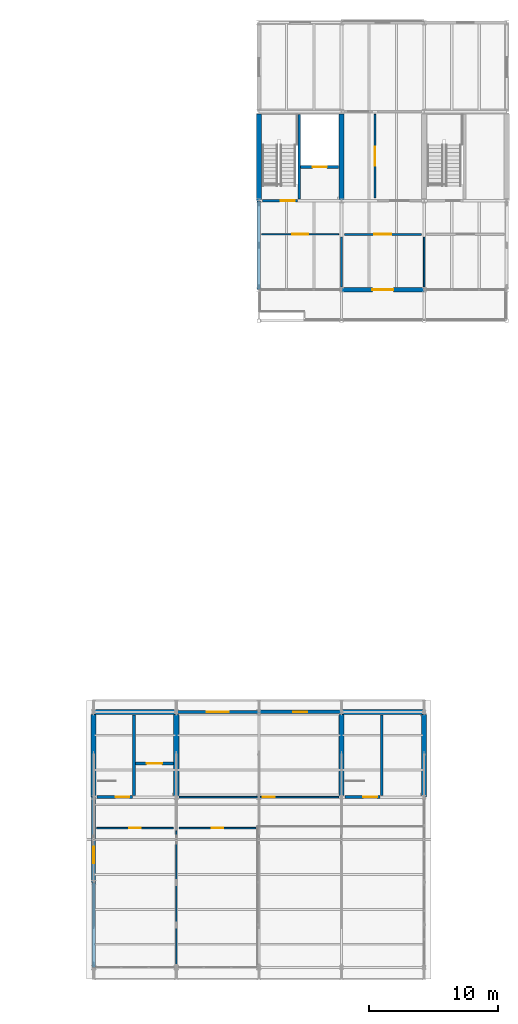
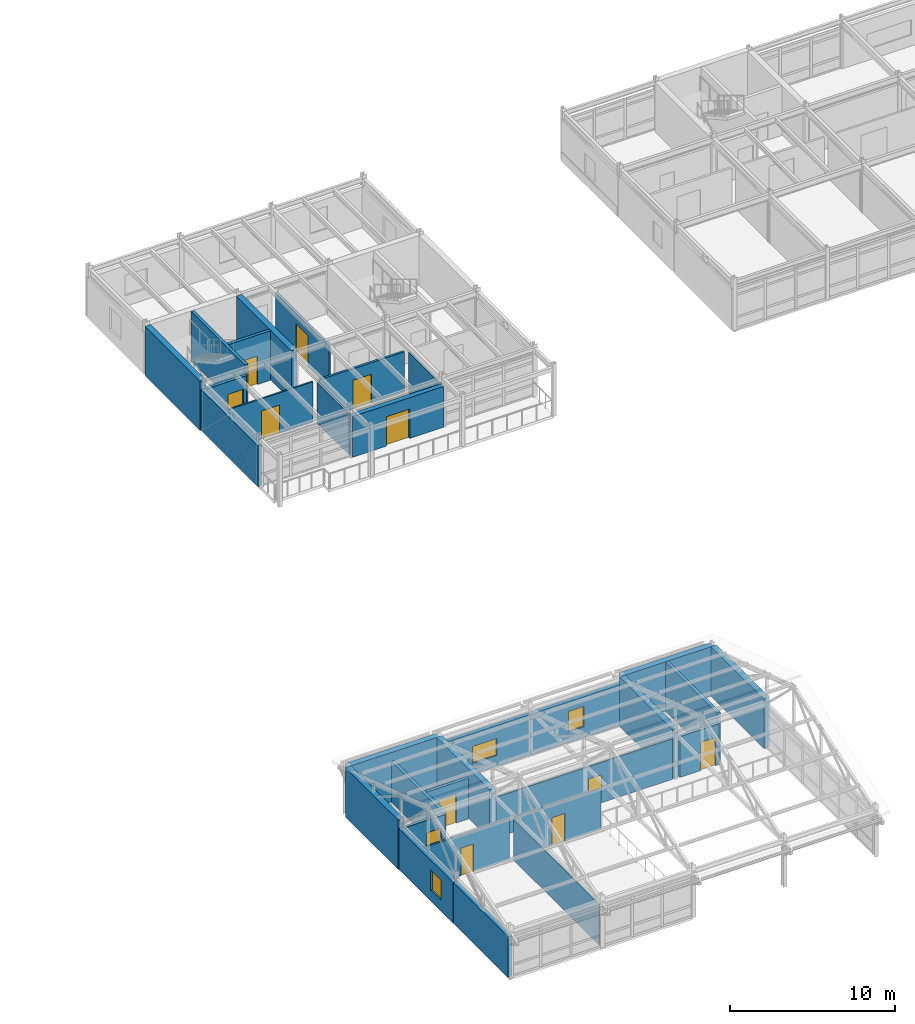
# One storey, part 46 of 57: 31 walls, 12 doors, 3 windows, 15 openings.
"""IFC4 building model written with IfcOpenShell, lengths in metres."""

from ifc_helpers import new_model, si_unit, direction, frame, frame_2d, origin, place, context, subcontext, project, spatial, rectangle, extrude, material, layer, layer_set, type_object, element, fill, save


model = new_model("IFC4")

# Units and contexts
model_context = context("Model", 3, precision=1e-05, world=origin(), true_north=direction((0.0, 1.0)))
body_context = subcontext(model_context, "Body", "Model", "MODEL_VIEW")
ifc_project = project(units=[si_unit("LENGTHUNIT", "METRE"), si_unit("AREAUNIT", "SQUARE_METRE"), si_unit("VOLUMEUNIT", "CUBIC_METRE"), si_unit("PLANEANGLEUNIT", "RADIAN"), si_unit("MASSUNIT", "GRAM", prefix="KILO")], contexts=[model_context])

# Site, building, storey
site_placement = place(None, origin())
site = spatial("IfcSite", under=ifc_project, at=site_placement, CompositionType="ELEMENT")
building_placement = place(site_placement, origin())
building = spatial("IfcBuilding", under=site, at=building_placement, Name="Trelmorton Wharf Fire Station", CompositionType="ELEMENT")
storey_placement = place(building_placement, frame((0.0, 0.0, 13.5)))
storey = spatial("IfcBuildingStorey", under=building, at=storey_placement, Name="L03", CompositionType="ELEMENT", Elevation=13.5)

# Wall, opening, window
ifc_material_1 = material(Name="Precast concrete 45 MPa", Category="concrete")
ifc_layer_1 = layer(ifc_material_1, 0.25)
ifc_layer_set_1 = layer_set([ifc_layer_1], Name="Precast concrete 45 MPa")
wall_type_1 = type_object("IfcWallType", Name="EW_PREC_250", PredefinedType="SOLIDWALL", material=ifc_layer_set_1)
wall_1_placement = place(storey_placement, frame((64.405029296875, 27.60009765625, 0.0), z_axis=(0.0, 0.0, 1.0), x_axis=(1.0, 0.0, 0.0)))
wall_1 = element("IfcWall", 1, at=wall_1_placement, inside=storey, type_object=wall_type_1, Name="EW-V3-L03-0061", PredefinedType="SOLIDWALL", context=body_context, shape_type="SweptSolid", body=[
    extrude(rectangle(XDim=6.389892578125, YDim=0.25, at=frame_2d((3.19482421875, 0.0))), origin(), (0.0, 0.0, 1.0), 3.02001953125),
])
opening_1_placement = place(wall_1_placement, frame((2.344970703125, 0.0, 0.800048828125)))
opening_1 = element("IfcOpeningElement", 2, at=opening_1_placement, cuts=wall_1, Name="Opening W32", PredefinedType="OPENING", context=body_context, shape_type="SweptSolid", body=[
    extrude(rectangle(XDim=1.699951171875, YDim=1.25, at=frame_2d((0.85009765625, 0.625))), frame((0.0, 0.135009765625, 0.0), z_axis=(0.0, -1.0, 0.0), x_axis=(1.0, 0.0, 0.0)), (0.0, 0.0, 1.0), 0.27001953125),
])
ifc_material_2 = material(Name="Tempered low-E double glazing", Category="glass")
window_type_1 = type_object("IfcWindowType", Name="WIN_W32", PartitioningType="DOUBLE_PANEL_VERTICAL", PredefinedType="WINDOW", material=ifc_material_2)
window_1_placement = place(opening_1_placement, origin())
window_1 = element("IfcWindow", 3, at=window_1_placement, inside=storey, type_object=window_type_1, Name="WN-V3-L03-0021", OverallHeight=1.25, OverallWidth=1.699951171875, PartitioningType="DOUBLE_PANEL_VERTICAL", PredefinedType="WINDOW", context=body_context, shape_type="SweptSolid", body=[
    extrude(rectangle(XDim=1.699951171875, YDim=1.25, at=frame_2d((0.85009765625, 0.625))), frame((0.0, 0.030029296875, 0.0), z_axis=(0.0, -1.0, 0.0), x_axis=(1.0, 0.0, 0.0)), (0.0, 0.0, 1.0), 0.06005859375),
])
fill(opening_1, window_1)

ifc_layer_2 = layer(ifc_material_1, 0.27001953125)
ifc_layer_set_2 = layer_set([ifc_layer_2], Name="Precast concrete 45 MPa")
wall_type_2 = type_object("IfcWallType", Name="EW_PREC_270", PredefinedType="SOLIDWALL", material=ifc_layer_set_2)
wall_2_placement = place(storey_placement, frame((70.804931640625, 27.60009765625, 0.0), z_axis=(0.0, 0.0, 1.0), x_axis=(1.0, 0.0, 0.0)))
wall_2 = element("IfcWall", 4, at=wall_2_placement, inside=storey, type_object=wall_type_2, Name="EW-V3-L03-0062", PredefinedType="SOLIDWALL", context=body_context, shape_type="SweptSolid", body=[
    extrude(rectangle(XDim=6.39013671875, YDim=0.27001953125, at=frame_2d((3.195068359375, 0.0))), origin(), (0.0, 0.0, 1.0), 3.02001953125),
])
opening_2_placement = place(wall_2_placement, frame((2.64501953125, 0.0, 0.800048828125)))
opening_2 = element("IfcOpeningElement", 5, at=opening_2_placement, cuts=wall_2, Name="Opening W33", PredefinedType="OPENING", context=body_context, shape_type="SweptSolid", body=[
    extrude(rectangle(XDim=1.10009765625, YDim=1.5, at=frame_2d((0.550048828125, 0.75))), frame((0.0, 0.14501953125, 0.0), z_axis=(0.0, -1.0, 0.0), x_axis=(1.0, 0.0, 0.0)), (0.0, 0.0, 1.0), 0.2900390625),
])
window_type_2 = type_object("IfcWindowType", Name="WIN_W33", PartitioningType="SINGLE_PANEL", PredefinedType="WINDOW", material=ifc_material_2)
window_2_placement = place(opening_2_placement, origin())
window_2 = element("IfcWindow", 6, at=window_2_placement, inside=storey, type_object=window_type_2, Name="WN-V3-L03-0022", OverallHeight=1.5, OverallWidth=1.10009765625, PartitioningType="SINGLE_PANEL", PredefinedType="WINDOW", context=body_context, shape_type="SweptSolid", body=[
    extrude(rectangle(XDim=1.10009765625, YDim=1.5, at=frame_2d((0.550048828125, 0.75))), frame((0.0, 0.030029296875, 0.0), z_axis=(0.0, -1.0, 0.0), x_axis=(1.0, 0.0, 0.0)), (0.0, 0.0, 1.0), 0.06005859375),
])
fill(opening_2, window_2)

# Walls
wall_3_placement = place(storey_placement, frame((70.800048828125, 60.304931640625, 0.0), z_axis=(0.0, 0.0, 1.0), x_axis=(0.0, 1.0, 0.0)))
element("IfcWall", 7, at=wall_3_placement, inside=storey, type_object=wall_type_2, Name="EW-V2-L03-0182", PredefinedType="SOLIDWALL", context=body_context, shape_type="SweptSolid", body=[
    extrude(rectangle(XDim=6.89013671875, YDim=0.27001953125, at=frame_2d((3.445068359375, 0.0))), origin(), (0.0, 0.0, 1.0), 3.02001953125),
])
ifc_layer_3 = layer(ifc_material_1, 0.2900390625)
ifc_layer_set_3 = layer_set([ifc_layer_3], Name="Precast concrete 45 MPa")
wall_type_3 = type_object("IfcWallType", Name="EW_TERR_290", PredefinedType="SOLIDWALL", material=ifc_layer_set_3)
wall_4_placement = place(storey_placement, frame((58.0, 7.804931640625, 0.0), z_axis=(0.0, 0.0, 1.0), x_axis=(0.0, 1.0, 0.0)))
element("IfcWall", 8, at=wall_4_placement, inside=storey, type_object=wall_type_3, Name="EW-V3-L03-0063", PredefinedType="SOLIDWALL", context=body_context, shape_type="SweptSolid", body=[
    extrude(rectangle(XDim=6.590087890625, YDim=0.2900390625, at=frame_2d((3.294921875, 0.0))), origin(), (0.0, 0.0, 1.0), 3.02001953125),
])

# Wall, opening, window
ifc_layer_4 = layer(ifc_material_1, 0.31005859375)
ifc_layer_set_4 = layer_set([ifc_layer_4], Name="Precast concrete 45 MPa")
wall_type_4 = type_object("IfcWallType", Name="EW_TERR_310", PredefinedType="SOLIDWALL", material=ifc_layer_set_4)
wall_5_placement = place(storey_placement, frame((58.0, 14.405029296875, 0.0), z_axis=(0.0, 0.0, 1.0), x_axis=(0.0, 1.0, 0.0)))
wall_5 = element("IfcWall", 9, at=wall_5_placement, inside=storey, type_object=wall_type_4, Name="EW-V3-L03-0064", PredefinedType="SOLIDWALL", context=body_context, shape_type="SweptSolid", body=[
    extrude(rectangle(XDim=6.590087890625, YDim=0.31005859375, at=frame_2d((3.294921875, 0.0))), origin(), (0.0, 0.0, 1.0), 3.02001953125),
])
opening_3_placement = place(wall_5_placement, frame((1.487548828125, 0.0, 0.800048828125)))
opening_3 = element("IfcOpeningElement", 10, at=opening_3_placement, cuts=wall_5, Name="Opening W34", PredefinedType="OPENING", context=body_context, shape_type="SweptSolid", body=[
    extrude(rectangle(XDim=1.25, YDim=1.5, at=frame_2d((0.625, 0.75))), frame((0.0, 0.1650390625, 0.0), z_axis=(0.0, -1.0, 0.0), x_axis=(1.0, 0.0, 0.0)), (0.0, 0.0, 1.0), 0.330078125),
])
window_type_3 = type_object("IfcWindowType", Name="WIN_W34", PartitioningType="SINGLE_PANEL", PredefinedType="WINDOW", material=ifc_material_2)
window_3_placement = place(opening_3_placement, origin())
window_3 = element("IfcWindow", 11, at=window_3_placement, inside=storey, type_object=window_type_3, Name="WN-V3-L03-0023", OverallHeight=1.5, OverallWidth=1.25, PartitioningType="SINGLE_PANEL", PredefinedType="WINDOW", context=body_context, shape_type="SweptSolid", body=[
    extrude(rectangle(XDim=1.25, YDim=1.5, at=frame_2d((0.625, 0.75))), frame((0.0, 0.030029296875, 0.0), z_axis=(0.0, -1.0, 0.0), x_axis=(1.0, 0.0, 0.0)), (0.0, 0.0, 1.0), 0.06005859375),
])
fill(opening_3, window_3)

# Wall, opening, door
ifc_layer_5 = layer(ifc_material_1, 0.330078125)
ifc_layer_set_5 = layer_set([ifc_layer_5], Name="Precast concrete 45 MPa")
wall_type_5 = type_object("IfcWallType", Name="EW_TERR_330", PredefinedType="SOLIDWALL", material=ifc_layer_set_5)
wall_6_placement = place(storey_placement, frame((83.594970703125, 60.300048828125, 0.0), z_axis=(0.0, 0.0, 1.0), x_axis=(-1.0, 0.0, 0.0)))
wall_6 = element("IfcWall", 12, at=wall_6_placement, inside=storey, type_object=wall_type_5, Name="EW-V2-L03-0179", PredefinedType="SOLIDWALL", context=body_context, shape_type="SweptSolid", body=[
    extrude(rectangle(XDim=6.389892578125, YDim=0.330078125, at=frame_2d((3.19482421875, 0.0))), origin(), (0.0, 0.0, 1.0), 3.02001953125),
])
opening_4_placement = place(wall_6_placement, frame((2.385009765625, 0.0, 0.0)))
opening_4 = element("IfcOpeningElement", 13, at=opening_4_placement, cuts=wall_6, Name="Opening TD-028", PredefinedType="OPENING", context=body_context, shape_type="SweptSolid", body=[
    extrude(rectangle(XDim=1.6201171875, YDim=2.179931640625, at=frame_2d((0.81005859375, 1.08984375))), frame((0.0, 0.175048828125, 0.0), z_axis=(0.0, -1.0, 0.0), x_axis=(1.0, 0.0, 0.0)), (0.0, 0.0, 1.0), 0.35009765625),
])
ifc_material_3 = material(Name="Anodised aluminium AW-6063", Category="aluminium")
door_type_1 = type_object("IfcDoorType", Name="DR_TER_DBL_162", OperationType="DOUBLE_DOOR_SINGLE_SWING", PredefinedType="DOOR", material=ifc_material_3)
door_1_placement = place(opening_4_placement, origin())
door_1 = element("IfcDoor", 14, at=door_1_placement, inside=storey, type_object=door_type_1, Name="Terrace Door TD-028", OperationType="DOUBLE_DOOR_SINGLE_SWING", OverallHeight=2.179931640625, OverallWidth=1.6201171875, PredefinedType="DOOR", context=body_context, shape_type="SweptSolid", body=[
    extrude(rectangle(XDim=1.6201171875, YDim=2.179931640625, at=frame_2d((0.81005859375, 1.08984375))), frame((0.0, 0.02490234375, 0.0), z_axis=(0.0, -1.0, 0.0), x_axis=(1.0, 0.0, 0.0)), (0.0, 0.0, 1.0), 0.050048828125),
])
fill(opening_4, door_1)

ifc_material_4 = material(Name="Gypsum plasterboard partition")
ifc_layer_6 = layer(ifc_material_4, 0.159912109375)
ifc_layer_set_6 = layer_set([ifc_layer_6], Name="Gypsum plasterboard partition")
wall_type_6 = type_object("IfcWallType", Name="IW_ACOU_160", PredefinedType="PARTITIONING", material=ifc_layer_set_6)
wall_7_placement = place(storey_placement, frame((77.419921875, 64.60009765625, 0.0), z_axis=(0.0, 0.0, 1.0), x_axis=(1.0, 0.0, 0.0)))
wall_7 = element("IfcWall", 15, at=wall_7_placement, inside=storey, type_object=wall_type_6, Name="IW-L03-0197", PredefinedType="PARTITIONING", context=body_context, shape_type="SweptSolid", body=[
    extrude(rectangle(XDim=5.9599609375, YDim=0.159912109375, at=frame_2d((2.97998046875, 0.0))), origin(), (0.0, 0.0, 1.0), 3.0),
])
opening_5_placement = place(wall_7_placement, frame((2.324951171875, 0.0, 0.0)))
opening_5 = element("IfcOpeningElement", 16, at=opening_5_placement, cuts=wall_7, Name="Opening D-133", PredefinedType="OPENING", context=body_context, shape_type="SweptSolid", body=[
    extrude(rectangle(XDim=1.31005859375, YDim=2.139892578125, at=frame_2d((0.655029296875, 1.06982421875))), frame((0.0, 0.08984375, 0.0), z_axis=(0.0, -1.0, 0.0), x_axis=(1.0, 0.0, 0.0)), (0.0, 0.0, 1.0), 0.179931640625),
])
ifc_material_5 = material(Name="Acoustic timber panelling", Category="wood")
door_type_2 = type_object("IfcDoorType", Name="DR_INT_131", OperationType="NOTDEFINED", PredefinedType="DOOR", material=ifc_material_5)
door_2_placement = place(opening_5_placement, origin())
door_2 = element("IfcDoor", 17, at=door_2_placement, inside=storey, type_object=door_type_2, Name="Interior Door D-133", OperationType="SINGLE_SWING_LEFT", OverallHeight=2.139892578125, OverallWidth=1.31005859375, PredefinedType="DOOR", context=body_context, shape_type="SweptSolid", body=[
    extrude(rectangle(XDim=1.31005859375, YDim=2.139892578125, at=frame_2d((0.655029296875, 1.06982421875))), frame((0.0, 0.02490234375, 0.0), z_axis=(0.0, -1.0, 0.0), x_axis=(1.0, 0.0, 0.0)), (0.0, 0.0, 1.0), 0.050048828125),
])
fill(opening_5, door_2)

# Wall
ifc_material_6 = material(Name="Concrete 40 MPa", Category="concrete")
ifc_layer_7 = layer(ifc_material_6, 0.219970703125)
ifc_layer_set_7 = layer_set([ifc_layer_7], Name="Concrete 40 MPa")
wall_type_7 = type_object("IfcWallType", Name="IW_CORE_220", PredefinedType="SOLIDWALL", material=ifc_layer_set_7)
wall_8_placement = place(storey_placement, frame((61.1201171875, 21.1201171875, 0.0), z_axis=(0.0, 0.0, 1.0), x_axis=(0.0, 1.0, 0.0)))
element("IfcWall", 18, at=wall_8_placement, inside=storey, type_object=wall_type_7, Name="IW-C2-DIV-L03", PredefinedType="SOLIDWALL", context=body_context, shape_type="SweptSolid", body=[
    extrude(rectangle(XDim=6.2548828125, YDim=0.219970703125, at=frame_2d((3.12744140625, 0.0))), origin(), (0.0, 0.0, 1.0), 3.02001953125),
])

# Wall, opening, door
wall_9_placement = place(storey_placement, frame((58.260009765625, 21.0, 0.0), z_axis=(0.0, 0.0, 1.0), x_axis=(1.0, 0.0, 0.0)))
wall_9 = element("IfcWall", 19, at=wall_9_placement, inside=storey, type_object=wall_type_7, Name="IW-C2-SF-L03", PredefinedType="SOLIDWALL", context=body_context, shape_type="SweptSolid", body=[
    extrude(rectangle(XDim=2.739990234375, YDim=0.219970703125, at=frame_2d((1.3701171875, 0.0))), origin(), (0.0, 0.0, 1.0), 3.02001953125),
])
opening_6_placement = place(wall_9_placement, frame((1.43994140625, 0.0, 0.0)))
opening_6 = element("IfcOpeningElement", 20, at=opening_6_placement, cuts=wall_9, Name="Opening FD-006", PredefinedType="OPENING", context=body_context, shape_type="SweptSolid", body=[
    extrude(rectangle(XDim=1.06005859375, YDim=2.10009765625, at=frame_2d((0.530029296875, 1.050048828125))), frame((0.0, 0.1201171875, 0.0), z_axis=(0.0, -1.0, 0.0), x_axis=(1.0, 0.0, 0.0)), (0.0, 0.0, 1.0), 0.239990234375),
])
ifc_material_7 = material(Name="Stainless steel 316 marine grade", Category="steel")
door_type_3 = type_object("IfcDoorType", Name="DR_FIRE_106", OperationType="NOTDEFINED", PredefinedType="DOOR", material=ifc_material_7)
door_3_placement = place(opening_6_placement, origin())
door_3 = element("IfcDoor", 21, at=door_3_placement, inside=storey, type_object=door_type_3, Name="Stair Fire Door FD-006", OperationType="SINGLE_SWING_LEFT", OverallHeight=2.10009765625, OverallWidth=1.06005859375, PredefinedType="DOOR", context=body_context, shape_type="SweptSolid", body=[
    extrude(rectangle(XDim=1.06005859375, YDim=2.10009765625, at=frame_2d((0.530029296875, 1.050048828125))), frame((0.0, 0.02490234375, 0.0), z_axis=(0.0, -1.0, 0.0), x_axis=(1.0, 0.0, 0.0)), (0.0, 0.0, 1.0), 0.050048828125),
])
fill(opening_6, door_3)

wall_10_placement = place(storey_placement, frame((61.239990234375, 23.60009765625, 0.0), z_axis=(0.0, 0.0, 1.0), x_axis=(1.0, 0.0, 0.0)))
wall_10 = element("IfcWall", 22, at=wall_10_placement, inside=storey, type_object=wall_type_7, Name="IW-C2-LSH-L03", PredefinedType="SOLIDWALL", context=body_context, shape_type="SweptSolid", body=[
    extrude(rectangle(XDim=2.93505859375, YDim=0.219970703125, at=frame_2d((1.467529296875, 0.0))), origin(), (0.0, 0.0, 1.0), 3.02001953125),
])
opening_7_placement = place(wall_10_placement, frame((0.867431640625, 0.0, 0.0)))
opening_7 = element("IfcOpeningElement", 23, at=opening_7_placement, cuts=wall_10, Name="Opening LD-004", PredefinedType="OPENING", context=body_context, shape_type="SweptSolid", body=[
    extrude(rectangle(XDim=1.199951171875, YDim=2.14990234375, at=frame_2d((0.60009765625, 1.074951171875))), frame((0.0, 0.1201171875, 0.0), z_axis=(0.0, -1.0, 0.0), x_axis=(1.0, 0.0, 0.0)), (0.0, 0.0, 1.0), 0.239990234375),
])
door_type_4 = type_object("IfcDoorType", Name="DR_LIFT_120", OperationType="DOUBLE_DOOR_SLIDING", PredefinedType="DOOR", material=ifc_material_7)
door_4_placement = place(opening_7_placement, origin())
door_4 = element("IfcDoor", 24, at=door_4_placement, inside=storey, type_object=door_type_4, Name="Lift Landing Door LD-004", OperationType="DOUBLE_DOOR_SLIDING", OverallHeight=2.14990234375, OverallWidth=1.199951171875, PredefinedType="DOOR", context=body_context, shape_type="SweptSolid", body=[
    extrude(rectangle(XDim=1.199951171875, YDim=2.14990234375, at=frame_2d((0.60009765625, 1.074951171875))), frame((0.0, 0.02490234375, 0.0), z_axis=(0.0, -1.0, 0.0), x_axis=(1.0, 0.0, 0.0)), (0.0, 0.0, 1.0), 0.050048828125),
])
fill(opening_7, door_4)

# Wall
wall_11_placement = place(storey_placement, frame((80.320068359375, 21.1201171875, 0.0), z_axis=(0.0, 0.0, 1.0), x_axis=(0.0, 1.0, 0.0)))
element("IfcWall", 25, at=wall_11_placement, inside=storey, type_object=wall_type_7, Name="IW-C2B-DIV-L03", PredefinedType="SOLIDWALL", context=body_context, shape_type="SweptSolid", body=[
    extrude(rectangle(XDim=6.2548828125, YDim=0.219970703125, at=frame_2d((3.12744140625, 0.0))), origin(), (0.0, 0.0, 1.0), 3.659912109375),
])

# Wall, opening, door
wall_12_placement = place(storey_placement, frame((77.4599609375, 21.0, 0.0), z_axis=(0.0, 0.0, 1.0), x_axis=(1.0, 0.0, 0.0)))
wall_12 = element("IfcWall", 26, at=wall_12_placement, inside=storey, type_object=wall_type_7, Name="IW-C2B-SF-L03", PredefinedType="SOLIDWALL", context=body_context, shape_type="SweptSolid", body=[
    extrude(rectangle(XDim=2.739990234375, YDim=0.219970703125, at=frame_2d((1.3701171875, 0.0))), origin(), (0.0, 0.0, 1.0), 3.02001953125),
])
opening_8_placement = place(wall_12_placement, frame((1.43994140625, 0.0, 0.0)))
opening_8 = element("IfcOpeningElement", 27, at=opening_8_placement, cuts=wall_12, Name="Opening FD-010", PredefinedType="OPENING", context=body_context, shape_type="SweptSolid", body=[
    extrude(rectangle(XDim=1.06005859375, YDim=2.10009765625, at=frame_2d((0.530029296875, 1.050048828125))), frame((0.0, 0.1201171875, 0.0), z_axis=(0.0, -1.0, 0.0), x_axis=(1.0, 0.0, 0.0)), (0.0, 0.0, 1.0), 0.239990234375),
])
door_5_placement = place(opening_8_placement, origin())
door_5 = element("IfcDoor", 28, at=door_5_placement, inside=storey, type_object=door_type_3, Name="Stair Fire Door FD-010", OperationType="SINGLE_SWING_RIGHT", OverallHeight=2.10009765625, OverallWidth=1.06005859375, PredefinedType="DOOR", context=body_context, shape_type="SweptSolid", body=[
    extrude(rectangle(XDim=1.06005859375, YDim=2.10009765625, at=frame_2d((0.530029296875, 1.050048828125))), frame((0.0, 0.02490234375, 0.0), z_axis=(0.0, -1.0, 0.0), x_axis=(1.0, 0.0, 0.0)), (0.0, 0.0, 1.0), 0.050048828125),
])
fill(opening_8, door_5)

# Wall
wall_13_placement = place(storey_placement, frame((73.919921875, 67.320068359375, 0.0), z_axis=(0.0, 0.0, 1.0), x_axis=(0.0, 1.0, 0.0)))
element("IfcWall", 29, at=wall_13_placement, inside=storey, type_object=wall_type_7, Name="IW-C6-DIV-L03", PredefinedType="SOLIDWALL", context=body_context, shape_type="SweptSolid", body=[
    extrude(rectangle(XDim=6.554931640625, YDim=0.219970703125, at=frame_2d((3.27734375, 0.0))), origin(), (0.0, 0.0, 1.0), 3.659912109375),
])

# Wall, opening, door
wall_14_placement = place(storey_placement, frame((71.06005859375, 67.199951171875, 0.0), z_axis=(0.0, 0.0, 1.0), x_axis=(1.0, 0.0, 0.0)))
wall_14 = element("IfcWall", 30, at=wall_14_placement, inside=storey, type_object=wall_type_7, Name="IW-C6-SF-L03", PredefinedType="SOLIDWALL", context=body_context, shape_type="SweptSolid", body=[
    extrude(rectangle(XDim=2.739990234375, YDim=0.219970703125, at=frame_2d((1.3701171875, 0.0))), origin(), (0.0, 0.0, 1.0), 3.02001953125),
])
opening_9_placement = place(wall_14_placement, frame((1.43994140625, 0.0, 0.0)))
opening_9 = element("IfcOpeningElement", 31, at=opening_9_placement, cuts=wall_14, Name="Opening FD-031", PredefinedType="OPENING", context=body_context, shape_type="SweptSolid", body=[
    extrude(rectangle(XDim=1.06005859375, YDim=2.10009765625, at=frame_2d((0.530029296875, 1.050048828125))), frame((0.0, 0.1201171875, 0.0), z_axis=(0.0, -1.0, 0.0), x_axis=(1.0, 0.0, 0.0)), (0.0, 0.0, 1.0), 0.239990234375),
])
door_6_placement = place(opening_9_placement, origin())
door_6 = element("IfcDoor", 32, at=door_6_placement, inside=storey, type_object=door_type_3, Name="Stair Fire Door FD-031", OperationType="SINGLE_SWING_LEFT", OverallHeight=2.10009765625, OverallWidth=1.06005859375, PredefinedType="DOOR", context=body_context, shape_type="SweptSolid", body=[
    extrude(rectangle(XDim=1.06005859375, YDim=2.10009765625, at=frame_2d((0.530029296875, 1.050048828125))), frame((0.0, 0.02490234375, 0.0), z_axis=(0.0, -1.0, 0.0), x_axis=(1.0, 0.0, 0.0)), (0.0, 0.0, 1.0), 0.050048828125),
])
fill(opening_9, door_6)

wall_15_placement = place(storey_placement, frame((74.0400390625, 69.800048828125, 0.0), z_axis=(0.0, 0.0, 1.0), x_axis=(1.0, 0.0, 0.0)))
wall_15 = element("IfcWall", 33, at=wall_15_placement, inside=storey, type_object=wall_type_7, Name="IW-C6-LSH-L03", PredefinedType="SOLIDWALL", context=body_context, shape_type="SweptSolid", body=[
    extrude(rectangle(XDim=2.93505859375, YDim=0.219970703125, at=frame_2d((1.467529296875, 0.0))), origin(), (0.0, 0.0, 1.0), 3.659912109375),
])
opening_10_placement = place(wall_15_placement, frame((0.91748046875, 0.0, 0.0)))
opening_10 = element("IfcOpeningElement", 34, at=opening_10_placement, cuts=wall_15, Name="Opening LD-029", PredefinedType="OPENING", context=body_context, shape_type="SweptSolid", body=[
    extrude(rectangle(XDim=1.10009765625, YDim=2.10009765625, at=frame_2d((0.550048828125, 1.050048828125))), frame((0.0, 0.1201171875, 0.0), z_axis=(0.0, -1.0, 0.0), x_axis=(1.0, 0.0, 0.0)), (0.0, 0.0, 1.0), 0.239990234375),
])
door_type_5 = type_object("IfcDoorType", Name="DR_LIFT_110", OperationType="DOUBLE_DOOR_SLIDING", PredefinedType="DOOR", material=ifc_material_7)
door_7_placement = place(opening_10_placement, origin())
door_7 = element("IfcDoor", 35, at=door_7_placement, inside=storey, type_object=door_type_5, Name="Lift Landing Door LD-029", OperationType="DOUBLE_DOOR_SLIDING", OverallHeight=2.10009765625, OverallWidth=1.10009765625, PredefinedType="DOOR", context=body_context, shape_type="SweptSolid", body=[
    extrude(rectangle(XDim=1.10009765625, YDim=2.10009765625, at=frame_2d((0.550048828125, 1.050048828125))), frame((0.0, 0.02490234375, 0.0), z_axis=(0.0, -1.0, 0.0), x_axis=(1.0, 0.0, 0.0)), (0.0, 0.0, 1.0), 0.050048828125),
])
fill(opening_10, door_7)

# Walls
ifc_layer_8 = layer(ifc_material_5, 0.090087890625)
ifc_layer_set_8 = layer_set([ifc_layer_8], Name="Acoustic timber panelling")
wall_type_8 = type_object("IfcWallType", Name="IW_MOVE_090", PredefinedType="MOVABLE", material=ifc_layer_set_8)
wall_16_placement = place(storey_placement, frame((64.39990234375, 8.02001953125, 0.0), z_axis=(0.0, 0.0, 1.0), x_axis=(0.0, 1.0, 0.0)))
element("IfcWall", 36, at=wall_16_placement, inside=storey, type_object=wall_type_8, Name="IW-L03-0178", PredefinedType="MOVABLE", context=body_context, shape_type="SweptSolid", body=[
    extrude(rectangle(XDim=10.35986328125, YDim=0.090087890625, at=frame_2d((5.179931640625, 0.0))), origin(), (0.0, 0.0, 1.0), 3.0),
])
ifc_layer_9 = layer(ifc_material_4, 0.10009765625)
ifc_layer_set_9 = layer_set([ifc_layer_9], Name="Gypsum plasterboard partition")
wall_type_9 = type_object("IfcWallType", Name="IW_PART_100", PredefinedType="PARTITIONING", material=ifc_layer_set_9)
wall_17_placement = place(storey_placement, frame((83.60009765625, 60.52001953125, 0.0), z_axis=(0.0, 0.0, 1.0), x_axis=(0.0, 1.0, 0.0)))
element("IfcWall", 37, at=wall_17_placement, inside=storey, type_object=wall_type_9, Name="IW-L03-0196", PredefinedType="PARTITIONING", context=body_context, shape_type="SweptSolid", body=[
    extrude(rectangle(XDim=3.85986328125, YDim=0.10009765625, at=frame_2d((1.929931640625, 0.0))), origin(), (0.0, 0.0, 1.0), 3.0),
])

# Wall, opening, door
ifc_layer_10 = layer(ifc_material_4, 0.110107421875)
ifc_layer_set_10 = layer_set([ifc_layer_10], Name="Gypsum plasterboard partition")
wall_type_10 = type_object("IfcWallType", Name="IW_PART_110", PredefinedType="PARTITIONING", material=ifc_layer_set_10)
wall_18_placement = place(storey_placement, frame((64.6201171875, 21.0, 0.0), z_axis=(0.0, 0.0, 1.0), x_axis=(1.0, 0.0, 0.0)))
wall_18 = element("IfcWall", 38, at=wall_18_placement, inside=storey, type_object=wall_type_10, Name="IW-L03-0181", PredefinedType="PARTITIONING", context=body_context, shape_type="SweptSolid", body=[
    extrude(rectangle(XDim=12.35986328125, YDim=0.110107421875, at=frame_2d((6.179931640625, 0.0))), origin(), (0.0, 0.0, 1.0), 3.0),
])
opening_11_placement = place(wall_18_placement, frame((6.4599609375, 0.0, 0.0)))
opening_11 = element("IfcOpeningElement", 39, at=opening_11_placement, cuts=wall_18, Name="Opening D-123", PredefinedType="OPENING", context=body_context, shape_type="SweptSolid", body=[
    extrude(rectangle(XDim=0.93994140625, YDim=2.080078125, at=frame_2d((0.469970703125, 1.0400390625))), frame((0.0, 0.06494140625, 0.0), z_axis=(0.0, -1.0, 0.0), x_axis=(1.0, 0.0, 0.0)), (0.0, 0.0, 1.0), 0.130126953125),
])
door_type_6 = type_object("IfcDoorType", Name="DR_INT_094", OperationType="NOTDEFINED", PredefinedType="DOOR", material=ifc_material_5)
door_8_placement = place(opening_11_placement, origin())
door_8 = element("IfcDoor", 40, at=door_8_placement, inside=storey, type_object=door_type_6, Name="Interior Door D-123", OperationType="SINGLE_SWING_LEFT", OverallHeight=2.080078125, OverallWidth=0.93994140625, PredefinedType="DOOR", context=body_context, shape_type="SweptSolid", body=[
    extrude(rectangle(XDim=0.93994140625, YDim=2.080078125, at=frame_2d((0.469970703125, 1.0400390625))), frame((0.0, 0.02490234375, 0.0), z_axis=(0.0, -1.0, 0.0), x_axis=(1.0, 0.0, 0.0)), (0.0, 0.0, 1.0), 0.050048828125),
])
fill(opening_11, door_8)

wall_19_placement = place(storey_placement, frame((71.02001953125, 64.60009765625, 0.0), z_axis=(0.0, 0.0, 1.0), x_axis=(1.0, 0.0, 0.0)))
wall_19 = element("IfcWall", 41, at=wall_19_placement, inside=storey, type_object=wall_type_10, Name="IW-L03-0195", PredefinedType="PARTITIONING", context=body_context, shape_type="SweptSolid", body=[
    extrude(rectangle(XDim=5.9599609375, YDim=0.110107421875, at=frame_2d((2.97998046875, 0.0))), origin(), (0.0, 0.0, 1.0), 3.0),
])
opening_12_placement = place(wall_19_placement, frame((2.344970703125, 0.0, 0.0)))
opening_12 = element("IfcOpeningElement", 42, at=opening_12_placement, cuts=wall_19, Name="Opening D-132", PredefinedType="OPENING", context=body_context, shape_type="SweptSolid", body=[
    extrude(rectangle(XDim=1.27001953125, YDim=2.10009765625, at=frame_2d((0.635009765625, 1.050048828125))), frame((0.0, 0.06494140625, 0.0), z_axis=(0.0, -1.0, 0.0), x_axis=(1.0, 0.0, 0.0)), (0.0, 0.0, 1.0), 0.130126953125),
])
door_type_7 = type_object("IfcDoorType", Name="DR_INT_127", OperationType="NOTDEFINED", PredefinedType="DOOR", material=ifc_material_5)
door_9_placement = place(opening_12_placement, origin())
door_9 = element("IfcDoor", 43, at=door_9_placement, inside=storey, type_object=door_type_7, Name="Interior Door D-132", OperationType="SINGLE_SWING_RIGHT", OverallHeight=2.10009765625, OverallWidth=1.27001953125, PredefinedType="DOOR", context=body_context, shape_type="SweptSolid", body=[
    extrude(rectangle(XDim=1.27001953125, YDim=2.10009765625, at=frame_2d((0.635009765625, 1.050048828125))), frame((0.0, 0.02490234375, 0.0), z_axis=(0.0, -1.0, 0.0), x_axis=(1.0, 0.0, 0.0)), (0.0, 0.0, 1.0), 0.050048828125),
])
fill(opening_12, door_9)

ifc_layer_11 = layer(ifc_material_4, 0.1298828125)
ifc_layer_set_11 = layer_set([ifc_layer_11], Name="Gypsum plasterboard partition")
wall_type_11 = type_object("IfcWallType", Name="IW_PART_130", PredefinedType="PARTITIONING", material=ifc_layer_set_11)
wall_20_placement = place(storey_placement, frame((58.219970703125, 18.60009765625, 0.0), z_axis=(0.0, 0.0, 1.0), x_axis=(1.0, 0.0, 0.0)))
wall_20 = element("IfcWall", 44, at=wall_20_placement, inside=storey, type_object=wall_type_11, Name="IW-L03-0179", PredefinedType="PARTITIONING", context=body_context, shape_type="SweptSolid", body=[
    extrude(rectangle(XDim=5.9599609375, YDim=0.1298828125, at=frame_2d((2.97998046875, 0.0))), origin(), (0.0, 0.0, 1.0), 3.0),
])
opening_13_placement = place(wall_20_placement, frame((2.5400390625, 0.0, 0.0)))
opening_13 = element("IfcOpeningElement", 45, at=opening_13_placement, cuts=wall_20, Name="Opening D-121", PredefinedType="OPENING", context=body_context, shape_type="SweptSolid", body=[
    extrude(rectangle(XDim=0.8798828125, YDim=2.0400390625, at=frame_2d((0.43994140625, 1.02001953125))), frame((0.0, 0.074951171875, 0.0), z_axis=(0.0, -1.0, 0.0), x_axis=(1.0, 0.0, 0.0)), (0.0, 0.0, 1.0), 0.14990234375),
])
door_type_8 = type_object("IfcDoorType", Name="DR_INT_088", OperationType="NOTDEFINED", PredefinedType="DOOR", material=ifc_material_5)
door_10_placement = place(opening_13_placement, origin())
door_10 = element("IfcDoor", 46, at=door_10_placement, inside=storey, type_object=door_type_8, Name="Interior Door D-121", OperationType="SINGLE_SWING_LEFT", OverallHeight=2.0400390625, OverallWidth=0.8798828125, PredefinedType="DOOR", context=body_context, shape_type="SweptSolid", body=[
    extrude(rectangle(XDim=0.8798828125, YDim=2.0400390625, at=frame_2d((0.43994140625, 1.02001953125))), frame((0.0, 0.02490234375, 0.0), z_axis=(0.0, -1.0, 0.0), x_axis=(1.0, 0.0, 0.0)), (0.0, 0.0, 1.0), 0.050048828125),
])
fill(opening_13, door_10)

wall_21_placement = place(storey_placement, frame((79.800048828125, 67.419921875, 0.0), z_axis=(0.0, 0.0, 1.0), x_axis=(0.0, 1.0, 0.0)))
wall_21 = element("IfcWall", 47, at=wall_21_placement, inside=storey, type_object=wall_type_11, Name="IW-L03-0200", PredefinedType="PARTITIONING", context=body_context, shape_type="SweptSolid", body=[
    extrude(rectangle(XDim=6.4599609375, YDim=0.1298828125, at=frame_2d((3.22998046875, 0.0))), origin(), (0.0, 0.0, 1.0), 3.0),
])
opening_14_placement = place(wall_21_placement, frame((2.489990234375, 0.0, 0.0)))
opening_14 = element("IfcOpeningElement", 48, at=opening_14_placement, cuts=wall_21, Name="Opening D-136", PredefinedType="OPENING", context=body_context, shape_type="SweptSolid", body=[
    extrude(rectangle(XDim=1.47998046875, YDim=2.179931640625, at=frame_2d((0.739990234375, 1.08984375))), frame((0.0, 0.074951171875, 0.0), z_axis=(0.0, -1.0, 0.0), x_axis=(1.0, 0.0, 0.0)), (0.0, 0.0, 1.0), 0.14990234375),
])
door_type_9 = type_object("IfcDoorType", Name="DR_INT_148", OperationType="DOUBLE_DOOR_SINGLE_SWING", PredefinedType="DOOR", material=ifc_material_5)
door_11_placement = place(opening_14_placement, origin())
door_11 = element("IfcDoor", 49, at=door_11_placement, inside=storey, type_object=door_type_9, Name="Interior Door D-136", OperationType="DOUBLE_DOOR_SINGLE_SWING", OverallHeight=2.179931640625, OverallWidth=1.47998046875, PredefinedType="DOOR", context=body_context, shape_type="SweptSolid", body=[
    extrude(rectangle(XDim=1.47998046875, YDim=2.179931640625, at=frame_2d((0.739990234375, 1.08984375))), frame((0.0, 0.02490234375, 0.0), z_axis=(0.0, -1.0, 0.0), x_axis=(1.0, 0.0, 0.0)), (0.0, 0.0, 1.0), 0.050048828125),
])
fill(opening_14, door_11)

ifc_layer_12 = layer(ifc_material_4, 0.1201171875)
ifc_layer_set_12 = layer_set([ifc_layer_12], Name="Gypsum plasterboard partition")
wall_type_12 = type_object("IfcWallType", Name="IW_WET_120", PredefinedType="PARTITIONING", material=ifc_layer_set_12)
wall_22_placement = place(storey_placement, frame((64.6201171875, 18.60009765625, 0.0), z_axis=(0.0, 0.0, 1.0), x_axis=(1.0, 0.0, 0.0)))
wall_22 = element("IfcWall", 50, at=wall_22_placement, inside=storey, type_object=wall_type_12, Name="IW-L03-0180", PredefinedType="PARTITIONING", context=body_context, shape_type="SweptSolid", body=[
    extrude(rectangle(XDim=5.9599609375, YDim=0.1201171875, at=frame_2d((2.97998046875, 0.0))), origin(), (0.0, 0.0, 1.0), 3.0),
])
opening_15_placement = place(wall_22_placement, frame((2.52490234375, 0.0, 0.0)))
opening_15 = element("IfcOpeningElement", 51, at=opening_15_placement, cuts=wall_22, Name="Opening D-122", PredefinedType="OPENING", context=body_context, shape_type="SweptSolid", body=[
    extrude(rectangle(XDim=0.909912109375, YDim=2.06005859375, at=frame_2d((0.455078125, 1.030029296875))), frame((0.0, 0.070068359375, 0.0), z_axis=(0.0, -1.0, 0.0), x_axis=(1.0, 0.0, 0.0)), (0.0, 0.0, 1.0), 0.14013671875),
])
door_type_10 = type_object("IfcDoorType", Name="DR_INT_091", OperationType="NOTDEFINED", PredefinedType="DOOR", material=ifc_material_5)
door_12_placement = place(opening_15_placement, origin())
door_12 = element("IfcDoor", 52, at=door_12_placement, inside=storey, type_object=door_type_10, Name="Interior Door D-122", OperationType="SINGLE_SWING_RIGHT", OverallHeight=2.06005859375, OverallWidth=0.909912109375, PredefinedType="DOOR", context=body_context, shape_type="SweptSolid", body=[
    extrude(rectangle(XDim=0.909912109375, YDim=2.06005859375, at=frame_2d((0.455078125, 1.030029296875))), frame((0.0, 0.02490234375, 0.0), z_axis=(0.0, -1.0, 0.0), x_axis=(1.0, 0.0, 0.0)), (0.0, 0.0, 1.0), 0.050048828125),
])
fill(opening_15, door_12)

# Walls
wall_23_placement = place(storey_placement, frame((77.199951171875, 60.52001953125, 0.0), z_axis=(0.0, 0.0, 1.0), x_axis=(0.0, 1.0, 0.0)))
element("IfcWall", 53, at=wall_23_placement, inside=storey, type_object=wall_type_12, Name="IW-L03-0194", PredefinedType="PARTITIONING", context=body_context, shape_type="SweptSolid", body=[
    extrude(rectangle(XDim=3.85986328125, YDim=0.1201171875, at=frame_2d((1.929931640625, 0.0))), origin(), (0.0, 0.0, 1.0), 3.0),
])
ifc_material_8 = material(Name="Concrete 50 MPa", Category="concrete")
ifc_layer_13 = layer(ifc_material_8, 0.39990234375)
ifc_layer_set_13 = layer_set([ifc_layer_13], Name="Concrete 50 MPa")
wall_type_13 = type_object("IfcWallType", Name="WL_CORE_400", PredefinedType="SHEAR", material=ifc_layer_set_13)
for number, where, z_axis, x_axis, name in (
    (54, (58.0, 27.60009765625, 0.0), (0.0, 0.0, 1.0), (1.0, 0.0, 0.0), "WL-SW-C2-L03-016"),
    (55, (58.0, 21.0, 0.0), (0.0, 0.0, 1.0), (0.0, 1.0, 0.0), "WL-SW-C2-L03-017"),
    (56, (64.39990234375, 21.0, 0.0), (0.0, 0.0, 1.0), (0.0, 1.0, 0.0), "WL-SW-C2-L03-018"),
):
    element("IfcWall", number, at=place(storey_placement, frame(where, z_axis=z_axis, x_axis=x_axis)), inside=storey, type_object=wall_type_13, Name=name, PredefinedType="SHEAR", context=body_context, shape_type="SweptSolid", body=[
        extrude(rectangle(XDim=6.39990234375, YDim=0.39990234375, at=frame_2d((3.199951171875, 0.0))), origin(), (0.0, 0.0, 1.0), 3.659912109375),
    ])
wall_24_placement = place(storey_placement, frame((77.199951171875, 27.60009765625, 0.0), z_axis=(0.0, 0.0, 1.0), x_axis=(1.0, 0.0, 0.0)))
element("IfcWall", 57, at=wall_24_placement, inside=storey, type_object=wall_type_13, Name="WL-SW-C2B-L03-028", PredefinedType="SHEAR", context=body_context, shape_type="SweptSolid", body=[
    extrude(rectangle(XDim=6.400146484375, YDim=0.39990234375, at=frame_2d((3.2001953125, 0.0))), origin(), (0.0, 0.0, 1.0), 3.659912109375),
])
for number, where, z_axis, x_axis, name in (
    (58, (77.199951171875, 21.0, 0.0), (0.0, 0.0, 1.0), (0.0, 1.0, 0.0), "WL-SW-C2B-L03-029"),
    (59, (83.60009765625, 21.0, 0.0), (0.0, 0.0, 1.0), (0.0, 1.0, 0.0), "WL-SW-C2B-L03-030"),
):
    element("IfcWall", number, at=place(storey_placement, frame(where, z_axis=z_axis, x_axis=x_axis)), inside=storey, type_object=wall_type_13, Name=name, PredefinedType="SHEAR", context=body_context, shape_type="SweptSolid", body=[
        extrude(rectangle(XDim=6.39990234375, YDim=0.39990234375, at=frame_2d((3.199951171875, 0.0))), origin(), (0.0, 0.0, 1.0), 3.659912109375),
    ])
for number, where, z_axis, x_axis, name in (
    (60, (70.800048828125, 67.199951171875, 0.0), (0.0, 0.0, 1.0), (0.0, 1.0, 0.0), "WL-SW-C6-L03-092"),
    (61, (77.199951171875, 67.199951171875, 0.0), (0.0, 0.0, 1.0), (0.0, 1.0, 0.0), "WL-SW-C6-L03-093"),
):
    element("IfcWall", number, at=place(storey_placement, frame(where, z_axis=z_axis, x_axis=x_axis)), inside=storey, type_object=wall_type_13, Name=name, PredefinedType="SHEAR", context=body_context, shape_type="SweptSolid", body=[
        extrude(rectangle(XDim=6.699951171875, YDim=0.39990234375, at=frame_2d((3.35009765625, 0.0))), origin(), (0.0, 0.0, 1.0), 3.659912109375),
    ])

save(model, "model.ifc")
